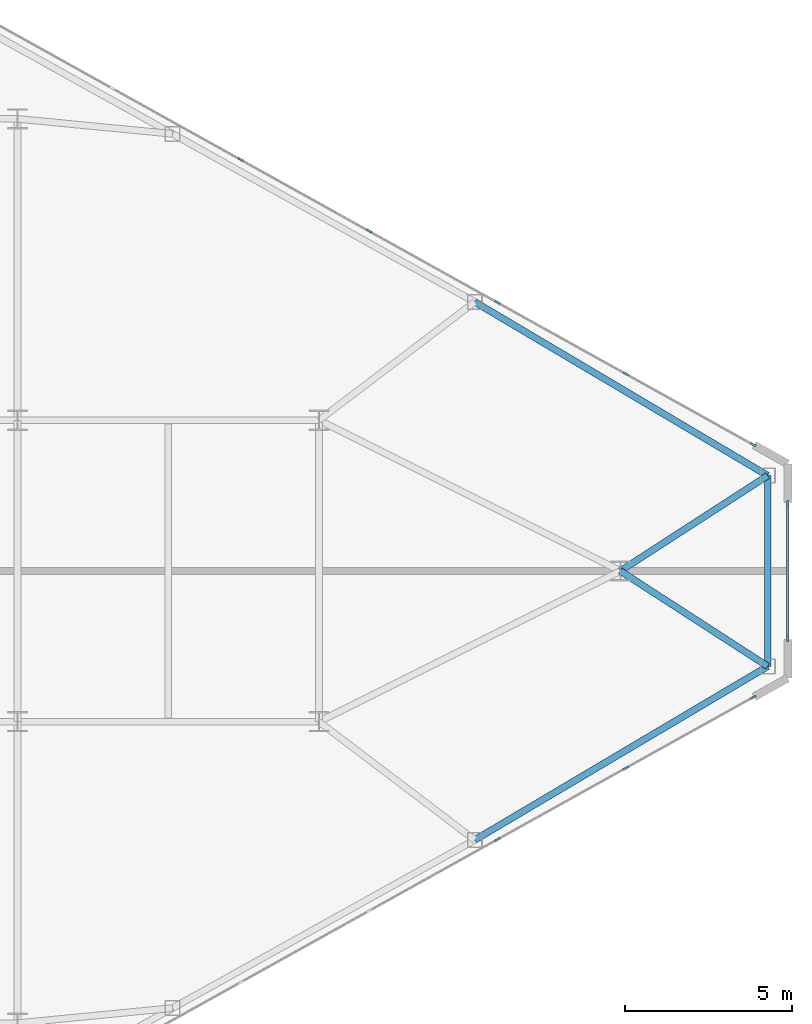
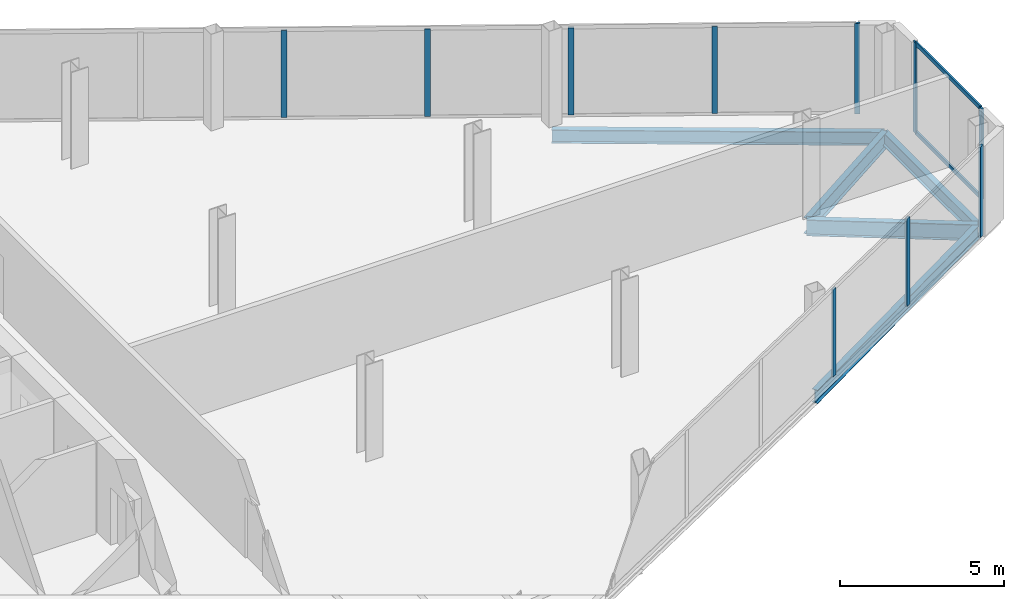
# One storey, part 17 of 26: 12 members, 5 beams, 3 elements without a shape of their own.
"""IFC4 building model written with IfcOpenShell, lengths in metres."""

from ifc_helpers import new_model, si_unit, direction, frame, origin, origin_2d, place, context, subcontext, project, spatial, rectangle, i_section, extrude, source, transform, mapped, material, layer, layer_set, material_profile, profile_set, type_object, type_shapes, element, aggregate, save


model = new_model("IFC4")

# Units and contexts
model_context = context("Model", 3, precision=1e-05, world=origin(), true_north=direction((0.0, 1.0)))
body_context = subcontext(model_context, "Body", "Model", "MODEL_VIEW")
ifc_project = project(units=[si_unit("LENGTHUNIT", "METRE"), si_unit("AREAUNIT", "SQUARE_METRE"), si_unit("VOLUMEUNIT", "CUBIC_METRE"), si_unit("PLANEANGLEUNIT", "RADIAN"), si_unit("MASSUNIT", "GRAM", prefix="KILO")], contexts=[model_context])

# Site, building, storey
site_placement = place(None, origin())
site = spatial("IfcSite", under=ifc_project, at=site_placement, CompositionType="ELEMENT")
building_placement = place(site_placement, origin())
building = spatial("IfcBuilding", under=site, at=building_placement, Name="Seokmaru Belvedere", CompositionType="ELEMENT")
storey_placement = place(building_placement, frame((0.0, 0.0, 177.89990234375)))
storey = spatial("IfcBuildingStorey", under=building, at=storey_placement, Name="L47", CompositionType="ELEMENT", Elevation=177.89990234375)

# Beams
ifc_material_1 = material(Name="Steel SM355 (355 MPa)", Category="steel")
ifc_material_profile_1 = material_profile(ifc_material_1, i_section(OverallWidth=0.199951171875, OverallDepth=0.5, WebThickness=0.010009765625, FlangeThickness=0.01611328125, at=origin_2d()), Name="H-500x200x10x16")
ifc_profile_set_1 = profile_set([ifc_material_profile_1], Name="Steel SM355 (355 MPa)")
beam_type_1 = type_object("IfcBeamType", Name="Perimeter Spandrel Beam H-500", PredefinedType="SPANDREL", material=ifc_profile_set_1)
shared_shape_1 = source(origin(), body_context, "Body", "SweptSolid", [
    extrude(i_section(OverallWidth=0.199951171875, OverallDepth=0.5, WebThickness=0.010009765625, FlangeThickness=0.01611328125, at=origin_2d()), origin(), (0.0, 0.0, 1.0), 10.16650390625),
])
for number, where, z_axis, x_axis, name in (
    (1, (59.154541015625, -8.031494140625, -0.469970703125), (0.860209996506, 0.509939959124, 0.0), (-0.509939959124, 0.860209996506, 0.0), "L47 E Faceted Flank Spandrel S-4"),
    (2, (59.154541015625, 8.031494140625, -0.469970703125), (0.860209996506, -0.509939959124, 0.0), (0.509939959124, 0.860209996506, 0.0), "L47 E Faceted Flank Spandrel N-4"),
):
    element("IfcBeam", number, at=place(storey_placement, frame(where, z_axis=z_axis, x_axis=x_axis)), inside=storey, type_object=beam_type_1, Name=name, PredefinedType="SPANDREL", context=body_context, shape_type="MappedRepresentation", body=[
        mapped(shared_shape_1, transform((0.0, 0.0, 0.0), scale=1.0)),
    ])
shared_shape_2 = source(origin(), body_context, "Body", "SweptSolid", [
    extrude(i_section(OverallWidth=0.199951171875, OverallDepth=0.5, WebThickness=0.010009765625, FlangeThickness=0.01611328125, at=origin_2d()), origin(), (0.0, 0.0, 1.0), 5.6943359375),
])
type_shapes(beam_type_1, [shared_shape_1, shared_shape_2])
beam_placement = place(storey_placement, frame((67.89990234375, -2.84716796875, -0.469970703125), z_axis=(0.0, 1.0, 0.0), x_axis=(-1.0, 0.0, 0.0)))
element("IfcBeam", 3, at=beam_placement, inside=storey, type_object=beam_type_1, Name="L47 E Faceted Apex Spandrel", PredefinedType="SPANDREL", context=body_context, shape_type="MappedRepresentation", body=[
    mapped(shared_shape_2, transform((0.0, 0.0, 0.0), scale=1.0)),
])
ifc_material_profile_2 = material_profile(ifc_material_1, i_section(OverallWidth=0.199951171875, OverallDepth=0.60009765625, WebThickness=0.010986328125, FlangeThickness=0.01708984375, at=origin_2d()), Name="H-600x200x11x17")
ifc_profile_set_2 = profile_set([ifc_material_profile_2], Name="Steel SM355 (355 MPa)")
beam_type_2 = type_object("IfcBeamType", Name="Primary Floor Girder H-600", PredefinedType="BEAM", material=ifc_profile_set_2)
shared_shape_3 = source(origin(), body_context, "Body", "SweptSolid", [
    extrude(i_section(OverallWidth=0.199951171875, OverallDepth=0.60009765625, WebThickness=0.010986328125, FlangeThickness=0.01708984375, at=origin_2d()), origin(), (0.0, 0.0, 1.0), 5.24072265625),
])
type_shapes(beam_type_2, [shared_shape_3])
for number, where, z_axis, x_axis, name in (
    (4, (67.89990234375, -2.84716796875, -0.52001953125), (-0.839555158729, 0.543274456836, 0.0), (-0.543274456836, -0.839555158729, 0.0), "L47 E Apex Radial Floor Girder 1"),
    (5, (67.89990234375, 2.84716796875, -0.52001953125), (-0.839555158729, -0.543274456836, 0.0), (0.543274456836, -0.839555158729, 0.0), "L47 E Apex Radial Floor Girder 2"),
):
    element("IfcBeam", number, at=place(storey_placement, frame(where, z_axis=z_axis, x_axis=x_axis)), inside=storey, type_object=beam_type_2, Name=name, PredefinedType="BEAM", context=body_context, shape_type="MappedRepresentation", body=[
        mapped(shared_shape_3, transform((0.0, 0.0, 0.0), scale=1.0)),
    ])

# Curtain wall, members
ifc_material_2 = material(Name="Bronze Triple Insulating Glass", Category="glass")
ifc_layer = layer(ifc_material_2, 0.179931640625)
ifc_layer_set = layer_set([ifc_layer], Name="Bronze Triple Insulating Glass")
curtain_wall_type = type_object("IfcCurtainWallType", Name="High-Rise Wind-Corner Curtain Wall System CW-5", PredefinedType="NOTDEFINED", material=ifc_layer_set)
curtain_wall_1_placement = place(storey_placement, origin())
curtain_wall_1 = element("IfcCurtainWall", 6, at=curtain_wall_1_placement, inside=storey, type_object=curtain_wall_type, Name="L47 Curtain Wall EF2", PredefinedType="NOTDEFINED")
ifc_material_3 = material(Name="Anodised Bronze Aluminium", Category="aluminium")
ifc_material_profile_3 = material_profile(ifc_material_3, rectangle(XDim=0.06494140625, YDim=0.14990234375, at=origin_2d()), Name="CW-T-65x150")
ifc_profile_set_3 = profile_set([ifc_material_profile_3], Name="Anodised Bronze Aluminium")
member_type_1 = type_object("IfcMemberType", Name="Bronze Unitised Transom 65x150", PredefinedType="USERDEFINED", material=ifc_profile_set_3)
shared_shape_4 = source(origin(), body_context, "Body", "SweptSolid", [
    extrude(rectangle(XDim=0.06494140625, YDim=0.14990234375, at=origin_2d()), origin(), (0.0, 0.0, 1.0), 3.97021484375),
])
type_shapes(member_type_1, [shared_shape_4])
member_1_placement = place(storey_placement, frame((68.5, -1.985107421875, 0.03271484375), z_axis=(0.0, 1.0, 0.0), x_axis=(-1.0, 0.0, 0.0)))
member_1 = element("IfcMember", 7, at=member_1_placement, type_object=member_type_1, Name="CW:L47:EF2 Continuous Transom 1", ObjectType="TRANSOM", PredefinedType="USERDEFINED", context=body_context, shape_type="MappedRepresentation", body=[
    mapped(shared_shape_4, transform((0.0, 0.0, 0.0), scale=1.0)),
])
member_2_placement = place(storey_placement, frame((68.5, -1.985107421875, 3.34765625), z_axis=(0.0, 1.0, 0.0), x_axis=(-1.0, 0.0, 0.0)))
member_2 = element("IfcMember", 8, at=member_2_placement, type_object=member_type_1, Name="CW:L47:EF2 Continuous Transom 2", ObjectType="TRANSOM", PredefinedType="USERDEFINED", context=body_context, shape_type="MappedRepresentation", body=[
    mapped(shared_shape_4, transform((0.0, 0.0, 0.0), scale=1.0)),
])

curtain_wall_2_placement = place(storey_placement, origin())
curtain_wall_2 = element("IfcCurtainWall", 9, at=curtain_wall_2_placement, inside=storey, type_object=curtain_wall_type, Name="L47 Curtain Wall EF1", PredefinedType="NOTDEFINED")
ifc_material_profile_4 = material_profile(ifc_material_3, rectangle(XDim=0.06494140625, YDim=0.179931640625, at=origin_2d()), Name="CW-M-65x180")
ifc_profile_set_4 = profile_set([ifc_material_profile_4], Name="Anodised Bronze Aluminium")
member_type_2 = type_object("IfcMemberType", Name="Bronze Unitised Mullion 65x180", PredefinedType="MULLION", material=ifc_profile_set_4)
shared_shape_5 = source(origin(), body_context, "Body", "SweptSolid", [
    extrude(rectangle(XDim=0.06494140625, YDim=0.179931640625, at=origin_2d()), origin(), (0.0, 0.0, 1.0), 3.25),
])
member_3_placement = place(storey_placement, frame((59.83056640625, -8.021728515625, 0.065185546875), z_axis=(0.0, 0.0, 1.0), x_axis=(-0.486047125147, 0.873932601598, 0.0)))
member_3 = element("IfcMember", 10, at=member_3_placement, type_object=member_type_2, Name="CW:L47:EF1 Mullion 8", PredefinedType="MULLION", context=body_context, shape_type="MappedRepresentation", body=[
    mapped(shared_shape_5, transform((0.0, 0.0, 0.0), scale=1.0)),
])
member_4_placement = place(storey_placement, frame((63.662841796875, -5.890380859375, 0.065185546875), z_axis=(0.0, 0.0, 1.0), x_axis=(-0.486047125147, 0.873932601598, 0.0)))
member_4 = element("IfcMember", 11, at=member_4_placement, type_object=member_type_2, Name="CW:L47:EF1 Mullion 9", PredefinedType="MULLION", context=body_context, shape_type="MappedRepresentation", body=[
    mapped(shared_shape_5, transform((0.0, 0.0, 0.0), scale=1.0)),
])

curtain_wall_3_placement = place(storey_placement, origin())
curtain_wall_3 = element("IfcCurtainWall", 12, at=curtain_wall_3_placement, inside=storey, type_object=curtain_wall_type, Name="L47 Curtain Wall EF3", PredefinedType="NOTDEFINED")
member_5_placement = place(storey_placement, frame((63.662841796875, 5.890380859375, 0.065185546875), z_axis=(0.0, 0.0, 1.0), x_axis=(-0.486047125147, -0.873932601598, 0.0)))
member_5 = element("IfcMember", 13, at=member_5_placement, type_object=member_type_2, Name="CW:L47:EF3 Mullion 2", PredefinedType="MULLION", context=body_context, shape_type="MappedRepresentation", body=[
    mapped(shared_shape_5, transform((0.0, 0.0, 0.0), scale=1.0)),
])
member_6_placement = place(storey_placement, frame((59.83056640625, 8.021728515625, 0.065185546875), z_axis=(0.0, 0.0, 1.0), x_axis=(-0.486047125147, -0.873932601598, 0.0)))
member_6 = element("IfcMember", 14, at=member_6_placement, type_object=member_type_2, Name="CW:L47:EF3 Mullion 3", PredefinedType="MULLION", context=body_context, shape_type="MappedRepresentation", body=[
    mapped(shared_shape_5, transform((0.0, 0.0, 0.0), scale=1.0)),
])
member_7_placement = place(storey_placement, frame((55.998291015625, 10.153076171875, 0.065185546875), z_axis=(0.0, 0.0, 1.0), x_axis=(-0.486047125147, -0.873932601598, 0.0)))
member_7 = element("IfcMember", 15, at=member_7_placement, type_object=member_type_2, Name="CW:L47:EF3 Mullion 4", PredefinedType="MULLION", context=body_context, shape_type="MappedRepresentation", body=[
    mapped(shared_shape_5, transform((0.0, 0.0, 0.0), scale=1.0)),
])
member_8_placement = place(storey_placement, frame((52.166015625, 12.2841796875, 0.065185546875), z_axis=(0.0, 0.0, 1.0), x_axis=(-0.486047125147, -0.873932601598, 0.0)))
member_8 = element("IfcMember", 16, at=member_8_placement, type_object=member_type_2, Name="CW:L47:EF3 Mullion 5", PredefinedType="MULLION", context=body_context, shape_type="MappedRepresentation", body=[
    mapped(shared_shape_5, transform((0.0, 0.0, 0.0), scale=1.0)),
])

# Member
shared_shape_6 = source(origin(), body_context, "Body", "SweptSolid", [
    extrude(rectangle(XDim=0.06494140625, YDim=0.179931640625, at=origin_2d()), origin(), (0.0, 0.0, 1.0), 3.380126953125),
])
type_shapes(member_type_2, [shared_shape_5, shared_shape_6])
member_9_placement = place(storey_placement, frame((67.466552734375, -3.77490234375, 0.0), z_axis=(0.0, 0.0, 1.0), x_axis=(-0.486047125147, 0.873932601598, 0.0)))
member_9 = element("IfcMember", 17, at=member_9_placement, type_object=member_type_2, Name="CW:L47:EF1 Mullion 10", PredefinedType="MULLION", context=body_context, shape_type="MappedRepresentation", body=[
    mapped(shared_shape_6, transform((0.0, 0.0, 0.0), scale=1.0)),
])

aggregate(curtain_wall_2, [member_3, member_4, member_9])

member_10_placement = place(storey_placement, frame((68.5, -2.017578125, 0.0), z_axis=(0.0, 0.0, 1.0), x_axis=(-1.0, 0.0, 0.0)))
member_10 = element("IfcMember", 18, at=member_10_placement, type_object=member_type_2, Name="CW:L47:EF2 Mullion 1", PredefinedType="MULLION", context=body_context, shape_type="MappedRepresentation", body=[
    mapped(shared_shape_6, transform((0.0, 0.0, 0.0), scale=1.0)),
])

member_11_placement = place(storey_placement, frame((68.5, 2.017578125, 0.0), z_axis=(0.0, 0.0, 1.0), x_axis=(-1.0, 0.0, 0.0)))
member_11 = element("IfcMember", 19, at=member_11_placement, type_object=member_type_2, Name="CW:L47:EF2 Mullion 2", PredefinedType="MULLION", context=body_context, shape_type="MappedRepresentation", body=[
    mapped(shared_shape_6, transform((0.0, 0.0, 0.0), scale=1.0)),
])

aggregate(curtain_wall_1, [member_10, member_11, member_1, member_2])

member_12_placement = place(storey_placement, frame((67.466552734375, 3.77490234375, 0.0), z_axis=(0.0, 0.0, 1.0), x_axis=(-0.486047125147, -0.873932601598, 0.0)))
member_12 = element("IfcMember", 20, at=member_12_placement, type_object=member_type_2, Name="CW:L47:EF3 Mullion 1", PredefinedType="MULLION", context=body_context, shape_type="MappedRepresentation", body=[
    mapped(shared_shape_6, transform((0.0, 0.0, 0.0), scale=1.0)),
])

aggregate(curtain_wall_3, [member_12, member_5, member_6, member_7, member_8])

save(model, "model.ifc")
